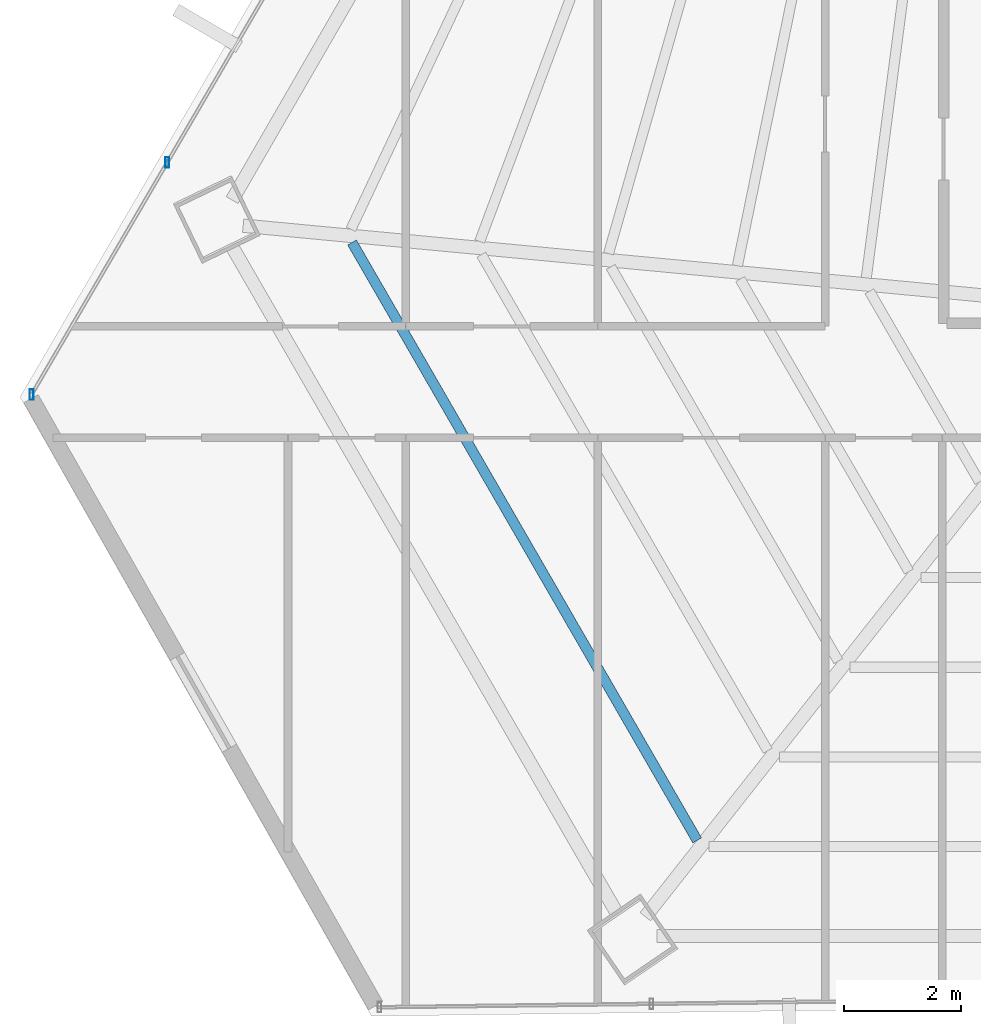
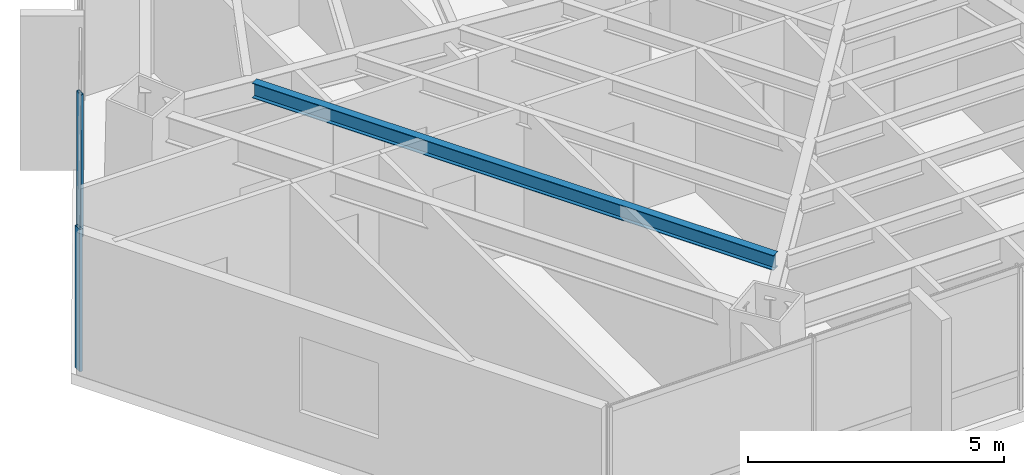
# One storey, part 7 of 37: 2 members, 1 beam, 1 element without a shape of its own.
"""IFC4 building model written with IfcOpenShell, lengths in metres."""

import ifcopenshell
import ifcopenshell.guid

model = None  # the IFC model being written
_history = None  # IfcOwnerHistory: only IFC2X3 demands one
_inside = {}  # id of a spatial element -> (the spatial element, [elements in it])
_under = {}  # id of a project, library or spatial element -> (it, [spatial elements below it])
_declared = {}  # id of a project -> (the project, [libraries it declares])
_typed = {}  # id of a type object -> (the type object, [elements of that type])
_made_of = {}  # id of a material, layer set ... -> (it, [elements and type objects made of it])


def new_model(schema):
    """Start an empty IFC model of exactly this schema.

    Asked for "IFC4X3", IfcOpenShell would pick the latest addendum, in which some entities
    have other attributes; the version numbers below select the first issue.
    IFC2X3 requires an IfcOwnerHistory on every rooted entity: one is made here for all.
    """
    global model, _history
    if schema == "IFC4X3":
        model = ifcopenshell.file(schema_version=(4, 3, 0, 0))
    else:
        model = ifcopenshell.file(schema=schema)
    _inside.clear()
    _under.clear()
    _declared.clear()
    _typed.clear()
    _made_of.clear()
    _history = None
    if model.schema == "IFC2X3":
        org = make("IfcOrganization", Name="unknown")
        user = make(
            "IfcPersonAndOrganization",
            ThePerson=make("IfcPerson", FamilyName="unknown"),
            TheOrganization=org,
        )
        app = make(
            "IfcApplication",
            ApplicationDeveloper=org,
            Version="unknown",
            ApplicationFullName="unknown",
            ApplicationIdentifier="unknown",
        )
        _history = make(
            "IfcOwnerHistory",
            OwningUser=user,
            OwningApplication=app,
            ChangeAction="ADDED",
            CreationDate=0,
        )
    return model


def make(cls, **values):
    """One entity of the class cls with the attributes given. An attribute that is None is left unset."""
    return model.create_entity(
        cls, **{name: value for name, value in values.items() if value is not None}
    )


def rooted(cls, **values):
    """An entity with a GlobalId (a new one), such as an element, a storey or a relation."""
    return make(cls, GlobalId=ifcopenshell.guid.new(), OwnerHistory=_history, **values)


def si_unit(unit_type, name, prefix=None):
    """IfcSIUnit, for example si_unit("LENGTHUNIT", "METRE", prefix="MILLI")."""
    return make("IfcSIUnit", UnitType=unit_type, Prefix=prefix, Name=name)


def assignment(units):
    """IfcUnitAssignment: the units of a project."""
    return None if units is None else make("IfcUnitAssignment", Units=units)


def point(xyz):
    """IfcCartesianPoint."""
    return None if xyz is None else make("IfcCartesianPoint", Coordinates=xyz)


def direction(xyz):
    """IfcDirection."""
    return None if xyz is None else make("IfcDirection", DirectionRatios=xyz)


def frame(location, z_axis=None, x_axis=None):
    """IfcAxis2Placement3D, a coordinate frame: its origin and axes. An axis left out is left unset."""
    return make(
        "IfcAxis2Placement3D",
        Location=point(location),
        Axis=direction(z_axis),
        RefDirection=direction(x_axis),
    )


def frame_2d(location, x_axis=None):
    """IfcAxis2Placement2D, a coordinate frame in the plane: its origin and x axis."""
    return make(
        "IfcAxis2Placement2D", Location=point(location), RefDirection=direction(x_axis)
    )


def origin():
    """The frame at (0, 0, 0) with its axes left unset."""
    return frame((0.0, 0.0, 0.0))


def origin_2d():
    """The frame at (0, 0) in the plane with its x axis left unset."""
    return frame_2d((0.0, 0.0))


def place(relative_to, where):
    """IfcLocalPlacement: puts the frame where relative to a parent placement (None: the world)."""
    return make(
        "IfcLocalPlacement", PlacementRelTo=relative_to, RelativePlacement=where
    )


def context(
    kind, dimensions, precision=None, world=None, true_north=None, identifier=None
):
    """IfcGeometricRepresentationContext, for example the 3D "Model" context."""
    return make(
        "IfcGeometricRepresentationContext",
        ContextIdentifier=identifier,
        ContextType=kind,
        CoordinateSpaceDimension=dimensions,
        Precision=precision,
        WorldCoordinateSystem=world,
        TrueNorth=true_north,
    )


def subcontext(parent, identifier, kind, view, scale=None):
    """IfcGeometricRepresentationSubContext, for example "Body" below "Model"."""
    return make(
        "IfcGeometricRepresentationSubContext",
        ContextIdentifier=identifier,
        ContextType=kind,
        ParentContext=parent,
        TargetScale=scale,
        TargetView=view,
    )


def project(units=None, contexts=None):
    """IfcProject with its units and contexts."""
    return rooted(
        "IfcProject",
        Name="project",
        RepresentationContexts=contexts,
        UnitsInContext=assignment(units),
    )


def spatial(cls, under=None, at=None, **own):
    """A site, building, storey or space (cls), placed at a placement, below another one or the project."""
    s = rooted(cls, ObjectPlacement=at, **own)
    if under is not None:
        _under.setdefault(under.id(), (under, []))[1].append(s)
    return s


def profile(cls, at=None, kind="AREA", **sizes):
    """A parametric profile (cls). Its sizes go by their IFC names, for example OverallWidth=200.0."""
    return make(cls, ProfileType=kind, Position=at, **sizes)


def hollow_rectangle(**sizes):
    """IfcRectangleHollowProfileDef."""
    return profile("IfcRectangleHollowProfileDef", **sizes)


def i_section(**sizes):
    """IfcIShapeProfileDef."""
    return profile("IfcIShapeProfileDef", **sizes)


def extrude(swept, where, along, depth):
    """IfcExtrudedAreaSolid: the profile swept, set in the frame where, extruded along a direction by depth."""
    return make(
        "IfcExtrudedAreaSolid",
        SweptArea=swept,
        Position=where,
        ExtrudedDirection=direction(along),
        Depth=depth,
    )


def shape(context_of_items, identifier, shape_type, items):
    """IfcShapeRepresentation: the items that make up one representation, for example the "Body"."""
    return make(
        "IfcShapeRepresentation",
        ContextOfItems=context_of_items,
        RepresentationIdentifier=identifier,
        RepresentationType=shape_type,
        Items=items,
    )


def source(mapping_origin, context_of_items, identifier, shape_type, items):
    """IfcRepresentationMap: a shape defined once, which mapped items show again and again."""
    return make(
        "IfcRepresentationMap",
        MappingOrigin=mapping_origin,
        MappedRepresentation=shape(context_of_items, identifier, shape_type, items),
    )


def transform(
    local_origin,
    x_axis=None,
    y_axis=None,
    z_axis=None,
    scale=None,
    scale2=None,
    scale3=None,
    uniform=True,
):
    """IfcCartesianTransformationOperator3D, or its non-uniform kind. x_axis, y_axis, z_axis: its Axis1, 2, 3."""
    if uniform:
        return make(
            "IfcCartesianTransformationOperator3D",
            Axis1=direction(x_axis),
            Axis2=direction(y_axis),
            LocalOrigin=point(local_origin),
            Scale=scale,
            Axis3=direction(z_axis),
        )
    return make(
        "IfcCartesianTransformationOperator3DnonUniform",
        Axis1=direction(x_axis),
        Axis2=direction(y_axis),
        LocalOrigin=point(local_origin),
        Scale=scale,
        Axis3=direction(z_axis),
        Scale2=scale2,
        Scale3=scale3,
    )


def mapped(mapping_source, mapping_target):
    """IfcMappedItem: shows the shape of a source again, moved by a transform."""
    return make(
        "IfcMappedItem", MappingSource=mapping_source, MappingTarget=mapping_target
    )


def material(Name=None, Category=None):
    """IfcMaterial."""
    return make("IfcMaterial", Name=Name, Category=Category)


def material_profile(
    of_material, cross_section, Name=None, Category=None, Priority=None
):
    """IfcMaterialProfile: a cross section and its material."""
    return make(
        "IfcMaterialProfile",
        Name=Name,
        Material=of_material,
        Profile=cross_section,
        Priority=Priority,
        Category=Category,
    )


def profile_set(profiles, Name=None, composite=None):
    """IfcMaterialProfileSet."""
    return make(
        "IfcMaterialProfileSet",
        Name=Name,
        MaterialProfiles=profiles,
        CompositeProfile=composite,
    )


def made_of(thing, what):
    """Note that an element or type object is made of a material, layer set ...; save() writes the relation."""
    if what is not None:
        _made_of.setdefault(what.id(), (what, []))[1].append(thing)
    return thing


def type_object(cls, material=None, **own):
    """A type object (cls), such as IfcWallType, which elements share."""
    return made_of(rooted(cls, **own), material)


def type_shapes(of_type, sources):
    """Give a type object the sources (RepresentationMaps) that its elements show as mapped items."""
    of_type.RepresentationMaps = sources


def element(
    cls,
    number,
    at=None,
    inside=None,
    cuts=None,
    type_object=None,
    material=None,
    context=None,
    identifier="Body",
    shape_type=None,
    held_by="IfcProductDefinitionShape",
    body=None,
    shapes=None,
    **own,
):
    """One element of the class cls, such as IfcWall. Its Tag is "e" and its number.

    at: its placement. inside: the storey or other place that contains it. cuts: it is an
    opening in that element (IfcRelVoidsElement). A single representation is given by context,
    identifier, shape_type and body (its items); several are given by shapes. held_by: the class
    of the entity that holds the representations. save() writes the other relations.
    """
    e = rooted(cls, Tag="e%d" % number, ObjectPlacement=at, **own)
    if body is not None:
        shapes = [shape(context, identifier, shape_type, body)]
    if shapes is not None:
        e.Representation = make(held_by, Representations=shapes)
    if inside is not None:
        _inside.setdefault(inside.id(), (inside, []))[1].append(e)
    if cuts is not None:
        rooted(
            "IfcRelVoidsElement", RelatingBuildingElement=cuts, RelatedOpeningElement=e
        )
    if type_object is not None:
        _typed.setdefault(type_object.id(), (type_object, []))[1].append(e)
    return made_of(e, material)


def aggregate(whole, parts):
    """IfcRelAggregates: a whole, such as a stair, and the parts it consists of."""
    return rooted("IfcRelAggregates", RelatingObject=whole, RelatedObjects=parts)


def save(model, path):
    """Write the relations noted so far, then the file.

    IfcRelAggregates (storeys below a building ...), IfcRelContainedInSpatialStructure (elements
    in a storey), IfcRelDefinesByType, IfcRelAssociatesMaterial and IfcRelDeclares: one each for
    every whole, place, type object, material and project.
    """
    for whole, parts in _under.values():
        aggregate(whole, parts)
    for where, things in _inside.values():
        rooted(
            "IfcRelContainedInSpatialStructure",
            RelatedElements=things,
            RelatingStructure=where,
        )
    for kind, things in _typed.values():
        rooted("IfcRelDefinesByType", RelatedObjects=things, RelatingType=kind)
    for what, things in _made_of.values():
        rooted("IfcRelAssociatesMaterial", RelatedObjects=things, RelatingMaterial=what)
    for by, libraries in _declared.values():
        rooted("IfcRelDeclares", RelatingContext=by, RelatedDefinitions=libraries)
    model.write(path)


model = new_model("IFC4")

# Units and contexts
model_context = context("Model", 3, precision=1e-05, world=origin(), true_north=direction((0.0, 1.0)))
body_context = subcontext(model_context, "Body", "Model", "MODEL_VIEW")
ifc_project = project(units=[si_unit("LENGTHUNIT", "METRE"), si_unit("AREAUNIT", "SQUARE_METRE"), si_unit("VOLUMEUNIT", "CUBIC_METRE"), si_unit("PLANEANGLEUNIT", "RADIAN"), si_unit("MASSUNIT", "GRAM", prefix="KILO")], contexts=[model_context])

# Site, building, storey
site_placement = place(None, origin())
site = spatial("IfcSite", under=ifc_project, at=site_placement, CompositionType="ELEMENT")
building_placement = place(site_placement, origin())
building = spatial("IfcBuilding", under=site, at=building_placement, Name="Caelisora Broadcast Tower", CompositionType="ELEMENT")
storey_placement = place(building_placement, frame((0.0, 0.0, 120.0)))
storey = spatial("IfcBuildingStorey", under=building, at=storey_placement, Name="L31", CompositionType="ELEMENT", Elevation=120.0)

# Beam
ifc_material_1 = material(Name="Steel Grade 350 (AS/NZS 3679.1)", Category="steel")
ifc_material_profile_1 = material_profile(ifc_material_1, i_section(OverallWidth=0.172119140625, OverallDepth=0.358642578125, WebThickness=0.008056640625, FlangeThickness=0.012939453125, at=origin_2d()), Name="Steel Grade 350 (AS/NZS 3679.1)")
ifc_profile_set_1 = profile_set([ifc_material_profile_1], Name="Steel Grade 350 (AS/NZS 3679.1)")
beam_type = type_object("IfcBeamType", Name="SB02", PredefinedType="JOIST", material=ifc_profile_set_1)
shared_shape_1 = source(origin(), body_context, "Body", "SweptSolid", [
    extrude(i_section(OverallWidth=0.172119140625, OverallDepth=0.358642578125, WebThickness=0.008056640625, FlangeThickness=0.012939453125, at=origin_2d()), origin(), (0.0, 0.0, 1.0), 11.772705078125),
])
type_shapes(beam_type, [shared_shape_1])
beam_placement = place(storey_placement, frame((17.33154296875, 18.530029296875, 3.220703125), z_axis=(0.499988730122, -0.866031910354, 0.0), x_axis=(0.866031910354, 0.499988730122, 0.0)))
element("IfcBeam", 1, at=beam_placement, inside=storey, type_object=beam_type, Name="L31 beam SB02", PredefinedType="JOIST", context=body_context, shape_type="MappedRepresentation", body=[
    mapped(shared_shape_1, transform((0.0, 0.0, 0.0), scale=1.0)),
])

# Curtain wall, members
ifc_material_2 = material(Name="Unitised Aluminium and Low-E Glass Curtain Wall", Category="glass")
curtain_wall_type = type_object("IfcCurtainWallType", Name="CW-Z2", PredefinedType="NOTDEFINED", material=ifc_material_2)
curtain_wall_placement = place(storey_placement, origin())
curtain_wall = element("IfcCurtainWall", 2, at=curtain_wall_placement, inside=storey, type_object=curtain_wall_type, Name="L31 curtain wall CW-Z2", PredefinedType="NOTDEFINED")
ifc_material_3 = material(Name="Aluminium 6063-T6 Anodised Terracotta Bronze", Category="aluminium")
ifc_material_profile_2 = material_profile(ifc_material_3, hollow_rectangle(XDim=0.06494140625, YDim=0.179931640625, WallThickness=0.00341796875, at=origin_2d()), Name="Aluminium 6063-T6 Anodised Terracotta Bronze")
ifc_profile_set_2 = profile_set([ifc_material_profile_2], Name="Aluminium 6063-T6 Anodised Terracotta Bronze")
member_type = type_object("IfcMemberType", Name="CWM-02", PredefinedType="MULLION", material=ifc_profile_set_2)
shared_shape_2 = source(origin(), body_context, "Body", "SweptSolid", [
    extrude(hollow_rectangle(XDim=0.06494140625, YDim=0.179931640625, WallThickness=0.00341796875, at=origin_2d()), origin(), (0.0, 0.0, 1.0), 3.39990234375),
])
type_shapes(member_type, [shared_shape_2])
member_1_placement = place(storey_placement, frame((11.8671875, 15.936279296875, 0.0), z_axis=(0.0, 0.0, 1.0), x_axis=(1.0, 0.0, 0.0)))
member_1 = element("IfcMember", 3, at=member_1_placement, type_object=member_type, Name="L31-CW-B09 mullion #0", PredefinedType="MULLION", context=body_context, shape_type="MappedRepresentation", body=[
    mapped(shared_shape_2, transform((0.0, 0.0, 0.0), scale=1.0)),
])
member_2_placement = place(storey_placement, frame((14.180908203125, 19.89599609375, 0.0), z_axis=(0.0, 0.0, 1.0), x_axis=(1.0, 0.0, 0.0)))
member_2 = element("IfcMember", 4, at=member_2_placement, type_object=member_type, Name="L31-CW-B09 mullion #1", PredefinedType="MULLION", context=body_context, shape_type="MappedRepresentation", body=[
    mapped(shared_shape_2, transform((0.0, 0.0, 0.0), scale=1.0)),
])
aggregate(curtain_wall, [member_1, member_2])

save(model, "model.ifc")
